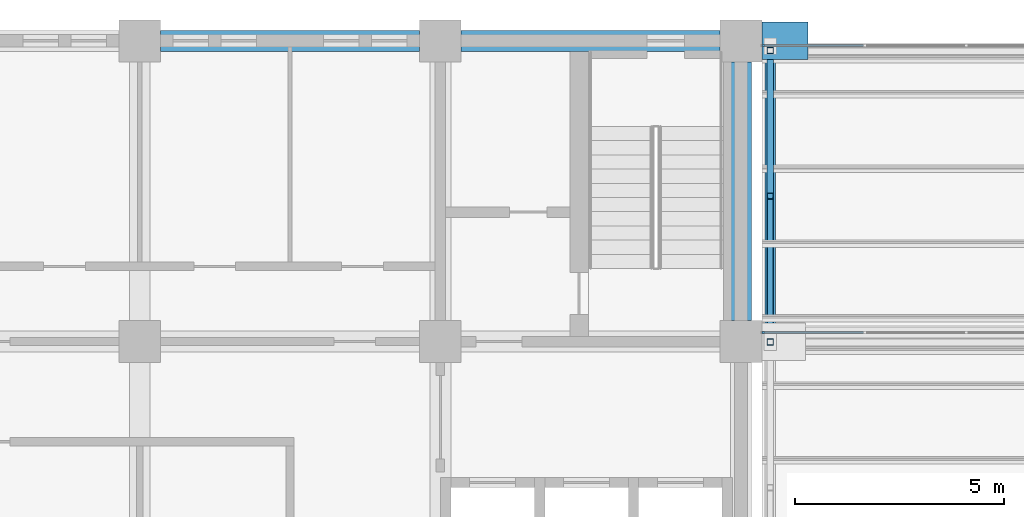
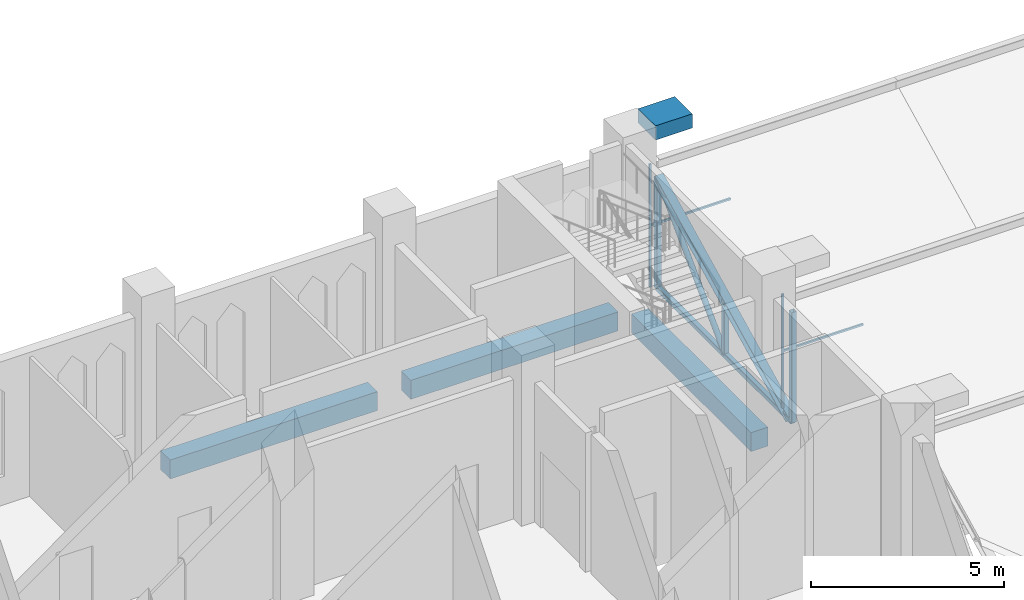
# One storey, part 27 of 83: 11 members, 3 beams, 2 elements without a shape of their own.
"""IFC4 building model written with IfcOpenShell, lengths in metres."""

from ifc_helpers import new_model, si_unit, direction, frame, origin, origin_2d, place, context, subcontext, project, spatial, rectangle, hollow_rectangle, hollow_circle, i_section, extrude, material, material_profile, profile_set, type_object, element, aggregate, save


model = new_model("IFC4")

# Units and contexts
model_context = context("Model", 3, precision=1e-05, world=origin(), true_north=direction((0.0, 1.0)))
body_context = subcontext(model_context, "Body", "Model", "MODEL_VIEW")
ifc_project = project(units=[si_unit("LENGTHUNIT", "METRE"), si_unit("AREAUNIT", "SQUARE_METRE"), si_unit("VOLUMEUNIT", "CUBIC_METRE"), si_unit("PLANEANGLEUNIT", "RADIAN"), si_unit("MASSUNIT", "GRAM", prefix="KILO")], contexts=[model_context])

# Site, building, storey
site_placement = place(None, origin())
site = spatial("IfcSite", under=ifc_project, at=site_placement, CompositionType="ELEMENT")
building_placement = place(site_placement, origin())
building = spatial("IfcBuilding", under=site, at=building_placement, Name="Silangan Lancet Faculty of Sciences", CompositionType="ELEMENT")
storey_placement = place(building_placement, frame((0.0, 0.0, 11.39990234375)))
storey = spatial("IfcBuildingStorey", under=building, at=storey_placement, Name="L02", CompositionType="ELEMENT", Elevation=11.39990234375)

# Beams
ifc_material_1 = material(Name="Concrete C40/50", Category="concrete")
ifc_material_profile_1 = material_profile(ifc_material_1, rectangle(XDim=0.5, YDim=0.60009765625, at=origin_2d()), Name="RC 500x600")
ifc_profile_set_1 = profile_set([ifc_material_profile_1], Name="Concrete C40/50")
beam_type = type_object("IfcBeamType", Name="BEAM RC 500x600", PredefinedType="BEAM", material=ifc_profile_set_1)
beam_1_placement = place(storey_placement, frame((14.89990234375, 57.60009765625, -0.5498046875), z_axis=(1.0, 0.0, 0.0), x_axis=(0.0, 1.0, 0.0)))
element("IfcBeam", 1, at=beam_1_placement, inside=storey, type_object=beam_type, Name="BM-L02-3I-4I", PredefinedType="BEAM", context=body_context, shape_type="SweptSolid", body=[
    extrude(rectangle(XDim=0.5, YDim=0.60009765625, at=origin_2d()), origin(), (0.0, 0.0, 1.0), 6.2001953125),
])
beam_2_placement = place(storey_placement, frame((22.10009765625, 57.60009765625, -0.5498046875), z_axis=(1.0, 0.0, 0.0), x_axis=(0.0, 1.0, 0.0)))
element("IfcBeam", 2, at=beam_2_placement, inside=storey, type_object=beam_type, Name="BM-L02-4I-5I", PredefinedType="BEAM", context=body_context, shape_type="SweptSolid", body=[
    extrude(rectangle(XDim=0.5, YDim=0.60009765625, at=origin_2d()), origin(), (0.0, 0.0, 1.0), 6.199951171875),
])
beam_3_placement = place(storey_placement, frame((28.800048828125, 50.89990234375, -0.5498046875), z_axis=(0.0, 1.0, 0.0), x_axis=(-1.0, 0.0, 0.0)))
element("IfcBeam", 3, at=beam_3_placement, inside=storey, type_object=beam_type, Name="BM-L02-5H-5I", PredefinedType="BEAM", context=body_context, shape_type="SweptSolid", body=[
    extrude(rectangle(XDim=0.5, YDim=0.60009765625, at=origin_2d()), origin(), (0.0, 0.0, 1.0), 6.2001953125),
])

# Member
ifc_material_2 = material(Name="Concrete C40/50 precast", Category="concrete")
ifc_material_profile_2 = material_profile(ifc_material_2, rectangle(XDim=0.89990234375, YDim=0.449951171875, at=origin_2d()), Name="RC 900x450")
ifc_profile_set_2 = profile_set([ifc_material_profile_2], Name="Concrete C40/50 precast")
member_type_1 = type_object("IfcMemberType", Name="KC4 Buttress corbel 900x450", PredefinedType="USERDEFINED", material=ifc_profile_set_2)
member_1_placement = place(storey_placement, frame((29.300048828125, 57.60009765625, 5.175048828125), z_axis=(1.0, 0.0, 0.0), x_axis=(0.0, 1.0, 0.0)))
element("IfcMember", 4, at=member_1_placement, inside=storey, type_object=member_type_1, Name="CORBEL-FINC-E-NT-04", ObjectType="CORBEL", PredefinedType="USERDEFINED", context=body_context, shape_type="SweptSolid", body=[
    extrude(rectangle(XDim=0.89990234375, YDim=0.449951171875, at=origin_2d()), origin(), (0.0, 0.0, 1.0), 1.10009765625),
])

# Curtain wall, member
ifc_material_3 = material(Name="Aluminium and laminated glass", Category="aluminium")
curtain_wall_type = type_object("IfcCurtainWallType", Name="North light glazing system", PredefinedType="NOTDEFINED", material=ifc_material_3)
curtain_wall_1_placement = place(storey_placement, origin())
curtain_wall_1 = element("IfcCurtainWall", 5, at=curtain_wall_1_placement, inside=storey, type_object=curtain_wall_type, Name="North light glazing NAB-2-1", PredefinedType="NOTDEFINED")
ifc_material_4 = material(Name="Aluminium 6063-T6", Category="aluminium")
ifc_material_profile_3 = material_profile(ifc_material_4, rectangle(XDim=0.06005859375, YDim=0.050048828125, at=origin_2d()), Name="AL 60x50")
ifc_profile_set_3 = profile_set([ifc_material_profile_3], Name="Aluminium 6063-T6")
member_type_2 = type_object("IfcMemberType", Name="North light mullion 60x50", PredefinedType="MULLION", material=ifc_profile_set_3)
member_2_placement = place(storey_placement, frame((29.330078125, 50.61328125, 0.4423828125), z_axis=(0.0, 0.0, 1.0), x_axis=(1.0, 0.0, 0.0)))
member_2 = element("IfcMember", 6, at=member_2_placement, type_object=member_type_2, Name="North light mullion NAB-2-1 1", PredefinedType="MULLION", context=body_context, shape_type="SweptSolid", body=[
    extrude(rectangle(XDim=0.06005859375, YDim=0.050048828125, at=origin_2d()), origin(), (0.0, 0.0, 1.0), 3.60595703125),
])

curtain_wall_2_placement = place(storey_placement, origin())
curtain_wall_2 = element("IfcCurtainWall", 7, at=curtain_wall_2_placement, inside=storey, type_object=curtain_wall_type, Name="North light glazing NAB-3-1", PredefinedType="NOTDEFINED")
member_3_placement = place(storey_placement, frame((29.330078125, 57.485107421875, 0.10009765625), z_axis=(0.0, 0.0, 1.0), x_axis=(1.0, 0.0, 0.0)))
member_3 = element("IfcMember", 8, at=member_3_placement, type_object=member_type_2, Name="North light mullion NAB-3-1 1", PredefinedType="MULLION", context=body_context, shape_type="SweptSolid", body=[
    extrude(rectangle(XDim=0.06005859375, YDim=0.050048828125, at=origin_2d()), origin(), (0.0, 0.0, 1.0), 3.89404296875),
])

# Member
ifc_material_5 = material(Name="Aluminium 6063-T6", Category="aluminium")
ifc_material_profile_4 = material_profile(ifc_material_5, rectangle(XDim=0.050048828125, YDim=0.06005859375, at=origin_2d()), Name="AL 50x60")
ifc_profile_set_4 = profile_set([ifc_material_profile_4], Name="Aluminium 6063-T6")
member_type_3 = type_object("IfcMemberType", Name="North light transom 50x60", PredefinedType="USERDEFINED", material=ifc_profile_set_4)
member_4_placement = place(storey_placement, frame((29.300048828125, 50.61328125, 2.245361328125), z_axis=(1.0, 0.0, 0.0), x_axis=(0.0, 1.0, 0.0)))
member_4 = element("IfcMember", 9, at=member_4_placement, type_object=member_type_3, Name="North light transom NAB-2-1 1", ObjectType="TRANSOM", PredefinedType="USERDEFINED", context=body_context, shape_type="SweptSolid", body=[
    extrude(rectangle(XDim=0.050048828125, YDim=0.06005859375, at=origin_2d()), origin(), (0.0, 0.0, 1.0), 2.431640625),
])

aggregate(curtain_wall_1, [member_2, member_4])

member_5_placement = place(storey_placement, frame((29.300048828125, 57.485107421875, 2.047119140625), z_axis=(1.0, 0.0, 0.0), x_axis=(0.0, 1.0, 0.0)))
member_5 = element("IfcMember", 10, at=member_5_placement, type_object=member_type_3, Name="North light transom NAB-3-1 1", ObjectType="TRANSOM", PredefinedType="USERDEFINED", context=body_context, shape_type="SweptSolid", body=[
    extrude(rectangle(XDim=0.050048828125, YDim=0.06005859375, at=origin_2d()), origin(), (0.0, 0.0, 1.0), 2.431640625),
])

aggregate(curtain_wall_2, [member_3, member_5])

# Members
ifc_material_6 = material(Name="Steel STKR400", Category="steel")
ifc_material_profile_5 = material_profile(ifc_material_6, hollow_rectangle(XDim=0.14990234375, YDim=0.14990234375, WallThickness=0.009033203125, InnerFilletRadius=0.009033203125, OuterFilletRadius=0.01806640625, at=origin_2d()), Name="SHS 150x150x9.0")
ifc_profile_set_5 = profile_set([ifc_material_profile_5], Name="Steel STKR400")
member_type_4 = type_object("IfcMemberType", Name="Truss bottom chord SHS 150x150x9.0", PredefinedType="CHORD", material=ifc_profile_set_5)
member_6_placement = place(storey_placement, frame((29.5, 50.38818359375, 0.09521484375), z_axis=(0.0, 1.0, 0.0), x_axis=(-1.0, 0.0, 0.0)))
element("IfcMember", 11, at=member_6_placement, inside=storey, type_object=member_type_4, Name="Truss 1 bottom chord 3", PredefinedType="CHORD", context=body_context, shape_type="SweptSolid", body=[
    extrude(hollow_rectangle(XDim=0.14990234375, YDim=0.14990234375, WallThickness=0.009033203125, InnerFilletRadius=0.009033203125, OuterFilletRadius=0.01806640625, at=origin_2d()), origin(), (0.0, 0.0, 1.0), 6.98193359375),
])
ifc_material_7 = material(Name="Steel STK400", Category="steel")
ifc_material_profile_6 = material_profile(ifc_material_7, hollow_circle(Radius=0.08251953125, WallThickness=0.0048828125, at=origin_2d()), Name="CHS 165.2x5.0")
ifc_profile_set_6 = profile_set([ifc_material_profile_6], Name="Steel STK400")
member_type_5 = type_object("IfcMemberType", Name="Truss diagonal CHS 165.2x5.0", PredefinedType="BRACE", material=ifc_profile_set_6)
member_7_placement = place(storey_placement, frame((29.5, 53.879150390625, 0.09521484375), z_axis=(0.0, 0.707131507361, 0.707082054147), x_axis=(-1.0, 0.0, 0.0)))
element("IfcMember", 12, at=member_7_placement, inside=storey, type_object=member_type_5, Name="Truss 1 diagonal 3", PredefinedType="BRACE", context=body_context, shape_type="SweptSolid", body=[
    extrude(hollow_circle(Radius=0.08251953125, WallThickness=0.0048828125, at=origin_2d()), origin(), (0.0, 0.0, 1.0), 4.936767578125),
])
ifc_material_8 = material(Name="Steel STKR400", Category="steel")
ifc_material_profile_7 = material_profile(ifc_material_8, hollow_rectangle(XDim=0.14990234375, YDim=0.14990234375, WallThickness=0.006103515625, InnerFilletRadius=0.006103515625, OuterFilletRadius=0.011962890625, at=origin_2d()), Name="SHS 150x150x6.0")
ifc_profile_set_7 = profile_set([ifc_material_profile_7], Name="Steel STKR400")
member_type_6 = type_object("IfcMemberType", Name="Truss post SHS 150x150x6.0", PredefinedType="POST", material=ifc_profile_set_7)
for number, where, z_axis, x_axis, name in (
    (13, (29.5, 50.38818359375, 0.09521484375), (0.0, 0.0, 1.0), (1.0, 0.0, 0.0), "Truss 1 riser post 2"),
    (14, (29.5, 57.3701171875, 0.09521484375), (0.0, 0.0, 1.0), (1.0, 0.0, 0.0), "Truss 1 riser post 3"),
):
    element("IfcMember", number, at=place(storey_placement, frame(where, z_axis=z_axis, x_axis=x_axis)), inside=storey, type_object=member_type_6, Name=name, PredefinedType="POST", context=body_context, shape_type="SweptSolid", body=[
        extrude(hollow_rectangle(XDim=0.14990234375, YDim=0.14990234375, WallThickness=0.006103515625, InnerFilletRadius=0.006103515625, OuterFilletRadius=0.011962890625, at=origin_2d()), origin(), (0.0, 0.0, 1.0), 3.49072265625),
    ])
member_8_placement = place(storey_placement, frame((29.5, 53.879150390625, 0.09521484375), z_axis=(0.0, 0.0, 1.0), x_axis=(1.0, 0.0, 0.0)))
element("IfcMember", 15, at=member_8_placement, inside=storey, type_object=member_type_6, Name="Truss 1 mid post 3", PredefinedType="POST", context=body_context, shape_type="SweptSolid", body=[
    extrude(hollow_rectangle(XDim=0.14990234375, YDim=0.14990234375, WallThickness=0.006103515625, InnerFilletRadius=0.006103515625, OuterFilletRadius=0.011962890625, at=origin_2d()), origin(), (0.0, 0.0, 1.0), 1.745361328125),
])
ifc_material_9 = material(Name="Steel SS400", Category="steel")
ifc_material_profile_8 = material_profile(ifc_material_9, i_section(OverallWidth=0.25, OverallDepth=0.25, WebThickness=0.009033203125, FlangeThickness=0.013916015625, FilletRadius=0.01611328125, at=origin_2d()), Name="H 250x250x9x14")
ifc_profile_set_8 = profile_set([ifc_material_profile_8], Name="Steel SS400")
member_type_7 = type_object("IfcMemberType", Name="Truss top chord H 250x250x9x14", PredefinedType="CHORD", material=ifc_profile_set_8)
member_9_placement = place(storey_placement, frame((29.5, 50.46875, 0.13525390625), z_axis=(0.0, 0.894427191, 0.4472135955), x_axis=(-1.0, 0.0, 0.0)))
element("IfcMember", 16, at=member_9_placement, inside=storey, type_object=member_type_7, Name="Truss 1 top chord 3", PredefinedType="CHORD", context=body_context, shape_type="SweptSolid", body=[
    extrude(i_section(OverallWidth=0.25, OverallDepth=0.25, WebThickness=0.009033203125, FlangeThickness=0.013916015625, FilletRadius=0.01611328125, at=origin_2d()), origin(), (0.0, 0.0, 1.0), 7.716064453125),
])

save(model, "model.ifc")
